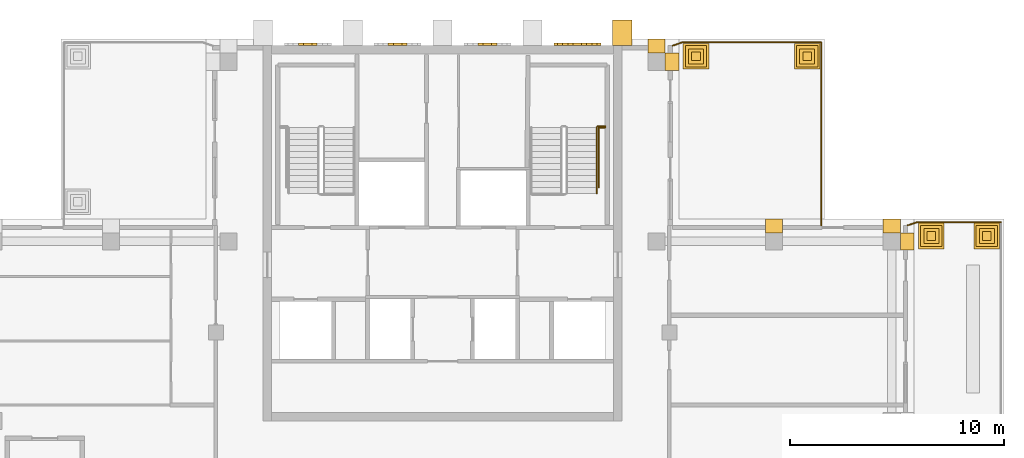
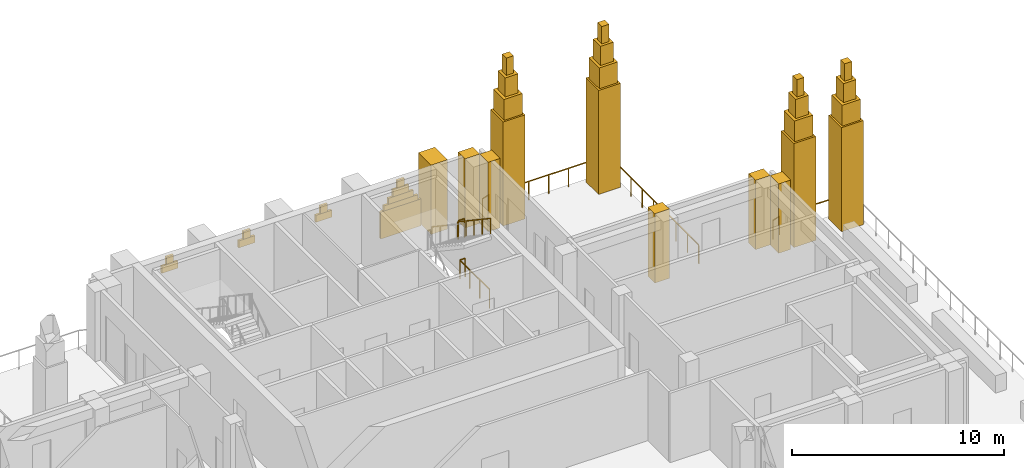
# One storey, part 10 of 10: 33 coverings, 8 railings.
"""IFC4 building model written with IfcOpenShell, lengths in metres."""

import ifcopenshell
import ifcopenshell.guid

model = None  # the IFC model being written
_history = None  # IfcOwnerHistory: only IFC2X3 demands one
_inside = {}  # id of a spatial element -> (the spatial element, [elements in it])
_under = {}  # id of a project, library or spatial element -> (it, [spatial elements below it])
_declared = {}  # id of a project -> (the project, [libraries it declares])
_typed = {}  # id of a type object -> (the type object, [elements of that type])
_made_of = {}  # id of a material, layer set ... -> (it, [elements and type objects made of it])


def new_model(schema):
    """Start an empty IFC model of exactly this schema.

    Asked for "IFC4X3", IfcOpenShell would pick the latest addendum, in which some entities
    have other attributes; the version numbers below select the first issue.
    IFC2X3 requires an IfcOwnerHistory on every rooted entity: one is made here for all.
    """
    global model, _history
    if schema == "IFC4X3":
        model = ifcopenshell.file(schema_version=(4, 3, 0, 0))
    else:
        model = ifcopenshell.file(schema=schema)
    _inside.clear()
    _under.clear()
    _declared.clear()
    _typed.clear()
    _made_of.clear()
    _history = None
    if model.schema == "IFC2X3":
        org = make("IfcOrganization", Name="unknown")
        user = make(
            "IfcPersonAndOrganization",
            ThePerson=make("IfcPerson", FamilyName="unknown"),
            TheOrganization=org,
        )
        app = make(
            "IfcApplication",
            ApplicationDeveloper=org,
            Version="unknown",
            ApplicationFullName="unknown",
            ApplicationIdentifier="unknown",
        )
        _history = make(
            "IfcOwnerHistory",
            OwningUser=user,
            OwningApplication=app,
            ChangeAction="ADDED",
            CreationDate=0,
        )
    return model


def make(cls, **values):
    """One entity of the class cls with the attributes given. An attribute that is None is left unset."""
    return model.create_entity(
        cls, **{name: value for name, value in values.items() if value is not None}
    )


def rooted(cls, **values):
    """An entity with a GlobalId (a new one), such as an element, a storey or a relation."""
    return make(cls, GlobalId=ifcopenshell.guid.new(), OwnerHistory=_history, **values)


def si_unit(unit_type, name, prefix=None):
    """IfcSIUnit, for example si_unit("LENGTHUNIT", "METRE", prefix="MILLI")."""
    return make("IfcSIUnit", UnitType=unit_type, Prefix=prefix, Name=name)


def assignment(units):
    """IfcUnitAssignment: the units of a project."""
    return None if units is None else make("IfcUnitAssignment", Units=units)


def point(xyz):
    """IfcCartesianPoint."""
    return None if xyz is None else make("IfcCartesianPoint", Coordinates=xyz)


def direction(xyz):
    """IfcDirection."""
    return None if xyz is None else make("IfcDirection", DirectionRatios=xyz)


def frame(location, z_axis=None, x_axis=None):
    """IfcAxis2Placement3D, a coordinate frame: its origin and axes. An axis left out is left unset."""
    return make(
        "IfcAxis2Placement3D",
        Location=point(location),
        Axis=direction(z_axis),
        RefDirection=direction(x_axis),
    )


def frame_2d(location, x_axis=None):
    """IfcAxis2Placement2D, a coordinate frame in the plane: its origin and x axis."""
    return make(
        "IfcAxis2Placement2D", Location=point(location), RefDirection=direction(x_axis)
    )


def origin():
    """The frame at (0, 0, 0) with its axes left unset."""
    return frame((0.0, 0.0, 0.0))


def origin_2d():
    """The frame at (0, 0) in the plane with its x axis left unset."""
    return frame_2d((0.0, 0.0))


def place(relative_to, where):
    """IfcLocalPlacement: puts the frame where relative to a parent placement (None: the world)."""
    return make(
        "IfcLocalPlacement", PlacementRelTo=relative_to, RelativePlacement=where
    )


def context(
    kind, dimensions, precision=None, world=None, true_north=None, identifier=None
):
    """IfcGeometricRepresentationContext, for example the 3D "Model" context."""
    return make(
        "IfcGeometricRepresentationContext",
        ContextIdentifier=identifier,
        ContextType=kind,
        CoordinateSpaceDimension=dimensions,
        Precision=precision,
        WorldCoordinateSystem=world,
        TrueNorth=true_north,
    )


def subcontext(parent, identifier, kind, view, scale=None):
    """IfcGeometricRepresentationSubContext, for example "Body" below "Model"."""
    return make(
        "IfcGeometricRepresentationSubContext",
        ContextIdentifier=identifier,
        ContextType=kind,
        ParentContext=parent,
        TargetScale=scale,
        TargetView=view,
    )


def project(units=None, contexts=None):
    """IfcProject with its units and contexts."""
    return rooted(
        "IfcProject",
        Name="project",
        RepresentationContexts=contexts,
        UnitsInContext=assignment(units),
    )


def spatial(cls, under=None, at=None, **own):
    """A site, building, storey or space (cls), placed at a placement, below another one or the project."""
    s = rooted(cls, ObjectPlacement=at, **own)
    if under is not None:
        _under.setdefault(under.id(), (under, []))[1].append(s)
    return s


def polyline(points):
    """IfcPolyline through the points."""
    return make("IfcPolyline", Points=[point(p) for p in points])


def profile(cls, at=None, kind="AREA", **sizes):
    """A parametric profile (cls). Its sizes go by their IFC names, for example OverallWidth=200.0."""
    return make(cls, ProfileType=kind, Position=at, **sizes)


def rectangle(**sizes):
    """IfcRectangleProfileDef."""
    return profile("IfcRectangleProfileDef", **sizes)


def outline(outer, holes=None, kind="AREA"):
    """IfcArbitraryClosedProfileDef: a profile drawn as a closed curve; with holes, ...WithVoids."""
    if holes is None:
        return make("IfcArbitraryClosedProfileDef", ProfileType=kind, OuterCurve=outer)
    return make(
        "IfcArbitraryProfileDefWithVoids",
        ProfileType=kind,
        OuterCurve=outer,
        InnerCurves=holes,
    )


def extrude(swept, where, along, depth):
    """IfcExtrudedAreaSolid: the profile swept, set in the frame where, extruded along a direction by depth."""
    return make(
        "IfcExtrudedAreaSolid",
        SweptArea=swept,
        Position=where,
        ExtrudedDirection=direction(along),
        Depth=depth,
    )


def shape(context_of_items, identifier, shape_type, items):
    """IfcShapeRepresentation: the items that make up one representation, for example the "Body"."""
    return make(
        "IfcShapeRepresentation",
        ContextOfItems=context_of_items,
        RepresentationIdentifier=identifier,
        RepresentationType=shape_type,
        Items=items,
    )


def material(Name=None, Category=None):
    """IfcMaterial."""
    return make("IfcMaterial", Name=Name, Category=Category)


def made_of(thing, what):
    """Note that an element or type object is made of a material, layer set ...; save() writes the relation."""
    if what is not None:
        _made_of.setdefault(what.id(), (what, []))[1].append(thing)
    return thing


def type_object(cls, material=None, **own):
    """A type object (cls), such as IfcWallType, which elements share."""
    return made_of(rooted(cls, **own), material)


def element(
    cls,
    number,
    at=None,
    inside=None,
    cuts=None,
    type_object=None,
    material=None,
    context=None,
    identifier="Body",
    shape_type=None,
    held_by="IfcProductDefinitionShape",
    body=None,
    shapes=None,
    **own,
):
    """One element of the class cls, such as IfcWall. Its Tag is "e" and its number.

    at: its placement. inside: the storey or other place that contains it. cuts: it is an
    opening in that element (IfcRelVoidsElement). A single representation is given by context,
    identifier, shape_type and body (its items); several are given by shapes. held_by: the class
    of the entity that holds the representations. save() writes the other relations.
    """
    e = rooted(cls, Tag="e%d" % number, ObjectPlacement=at, **own)
    if body is not None:
        shapes = [shape(context, identifier, shape_type, body)]
    if shapes is not None:
        e.Representation = make(held_by, Representations=shapes)
    if inside is not None:
        _inside.setdefault(inside.id(), (inside, []))[1].append(e)
    if cuts is not None:
        rooted(
            "IfcRelVoidsElement", RelatingBuildingElement=cuts, RelatedOpeningElement=e
        )
    if type_object is not None:
        _typed.setdefault(type_object.id(), (type_object, []))[1].append(e)
    return made_of(e, material)


def aggregate(whole, parts):
    """IfcRelAggregates: a whole, such as a stair, and the parts it consists of."""
    return rooted("IfcRelAggregates", RelatingObject=whole, RelatedObjects=parts)


def save(model, path):
    """Write the relations noted so far, then the file.

    IfcRelAggregates (storeys below a building ...), IfcRelContainedInSpatialStructure (elements
    in a storey), IfcRelDefinesByType, IfcRelAssociatesMaterial and IfcRelDeclares: one each for
    every whole, place, type object, material and project.
    """
    for whole, parts in _under.values():
        aggregate(whole, parts)
    for where, things in _inside.values():
        rooted(
            "IfcRelContainedInSpatialStructure",
            RelatedElements=things,
            RelatingStructure=where,
        )
    for kind, things in _typed.values():
        rooted("IfcRelDefinesByType", RelatedObjects=things, RelatingType=kind)
    for what, things in _made_of.values():
        rooted("IfcRelAssociatesMaterial", RelatedObjects=things, RelatingMaterial=what)
    for by, libraries in _declared.values():
        rooted("IfcRelDeclares", RelatingContext=by, RelatedDefinitions=libraries)
    model.write(path)


model = new_model("IFC4")

# Units and contexts
model_context = context("Model", 3, precision=1e-05, world=origin(), true_north=direction((0.0, 1.0)))
body_context = subcontext(model_context, "Body", "Model", "MODEL_VIEW")
ifc_project = project(units=[si_unit("LENGTHUNIT", "METRE"), si_unit("AREAUNIT", "SQUARE_METRE"), si_unit("VOLUMEUNIT", "CUBIC_METRE"), si_unit("PLANEANGLEUNIT", "RADIAN"), si_unit("MASSUNIT", "GRAM", prefix="KILO")], contexts=[model_context])

# Site, building, storey
site_placement = place(None, origin())
site = spatial("IfcSite", under=ifc_project, at=site_placement, CompositionType="ELEMENT")
building_placement = place(site_placement, origin())
building = spatial("IfcBuilding", under=site, at=building_placement, Name="Vermilion Ogive Tower", CompositionType="ELEMENT")
storey_placement = place(building_placement, frame((0.0, 0.0, 269.35009765625)))
storey = spatial("IfcBuildingStorey", under=building, at=storey_placement, Name="L71", CompositionType="ELEMENT", Elevation=269.35009765625)

# Coverings
ifc_material_1 = material(Name="Stone cladding", Category="masonry")
covering_type_1 = type_object("IfcCoveringType", Name="Core buttress pier", PredefinedType="CLADDING", material=ifc_material_1)
covering_1_placement = place(storey_placement, origin())
element("IfcCovering", 1, at=covering_1_placement, inside=storey, type_object=covering_type_1, Name="Buttress pier L71 N5", PredefinedType="CLADDING", context=body_context, shape_type="SweptSolid", body=[
    extrude(outline(polyline([(7.949951171875, 21.75), (8.85009765625, 21.75), (8.85009765625, 22.949951171875), (7.949951171875, 22.949951171875), (7.949951171875, 21.75)])), origin(), (0.0, 0.0, 1.0), 4.0),
])
ifc_material_2 = material(Name="Stone cladding", Category="masonry")
covering_type_2 = type_object("IfcCoveringType", Name="Lancet panel", PredefinedType="CLADDING", material=ifc_material_2)
covering_2_placement = place(storey_placement, frame((0.0, 0.0, 2.89990234375)))
element("IfcCovering", 2, at=covering_2_placement, inside=storey, type_object=covering_type_2, Name="Lancet panel L71N1D", PredefinedType="CLADDING", context=body_context, shape_type="SweptSolid", body=[
    extrude(outline(polyline([(-6.739990234375, 21.75), (-5.860107421875, 21.75), (-5.860107421875, 21.8701171875), (-6.739990234375, 21.8701171875), (-6.739990234375, 21.75)])), origin(), (0.0, 0.0, 1.0), 0.39990234375),
])
covering_3_placement = place(storey_placement, frame((0.0, 0.0, 3.2998046875)))
element("IfcCovering", 3, at=covering_3_placement, inside=storey, type_object=covering_type_2, Name="Lancet panel L71N1E", PredefinedType="CLADDING", context=body_context, shape_type="SweptSolid", body=[
    extrude(outline(polyline([(-6.498046875, 21.75), (-6.10205078125, 21.75), (-6.10205078125, 21.8701171875), (-6.498046875, 21.8701171875), (-6.498046875, 21.75)])), origin(), (0.0, 0.0, 1.0), 0.4501953125),
])
covering_4_placement = place(storey_placement, frame((0.0, 0.0, 2.89990234375)))
element("IfcCovering", 4, at=covering_4_placement, inside=storey, type_object=covering_type_2, Name="Lancet panel L71N2D", PredefinedType="CLADDING", context=body_context, shape_type="SweptSolid", body=[
    extrude(outline(polyline([(-2.5400390625, 21.75), (-1.659912109375, 21.75), (-1.659912109375, 21.8701171875), (-2.5400390625, 21.8701171875), (-2.5400390625, 21.75)])), origin(), (0.0, 0.0, 1.0), 0.39990234375),
])
covering_5_placement = place(storey_placement, frame((0.0, 0.0, 3.2998046875)))
element("IfcCovering", 5, at=covering_5_placement, inside=storey, type_object=covering_type_2, Name="Lancet panel L71N2E", PredefinedType="CLADDING", context=body_context, shape_type="SweptSolid", body=[
    extrude(outline(polyline([(-2.298095703125, 21.75), (-1.902099609375, 21.75), (-1.902099609375, 21.8701171875), (-2.298095703125, 21.8701171875), (-2.298095703125, 21.75)])), origin(), (0.0, 0.0, 1.0), 0.4501953125),
])
covering_6_placement = place(storey_placement, frame((0.0, 0.0, 2.89990234375)))
element("IfcCovering", 6, at=covering_6_placement, inside=storey, type_object=covering_type_2, Name="Lancet panel L71N3D", PredefinedType="CLADDING", context=body_context, shape_type="SweptSolid", body=[
    extrude(outline(polyline([(1.659912109375, 21.75), (2.5400390625, 21.75), (2.5400390625, 21.8701171875), (1.659912109375, 21.8701171875), (1.659912109375, 21.75)])), origin(), (0.0, 0.0, 1.0), 0.39990234375),
])
covering_7_placement = place(storey_placement, frame((0.0, 0.0, 3.2998046875)))
element("IfcCovering", 7, at=covering_7_placement, inside=storey, type_object=covering_type_2, Name="Lancet panel L71N3E", PredefinedType="CLADDING", context=body_context, shape_type="SweptSolid", body=[
    extrude(outline(polyline([(1.902099609375, 21.75), (2.298095703125, 21.75), (2.298095703125, 21.8701171875), (1.902099609375, 21.8701171875), (1.902099609375, 21.75)])), origin(), (0.0, 0.0, 1.0), 0.4501953125),
])
covering_8_placement = place(storey_placement, frame((0.0, 0.0, 0.699951171875)))
element("IfcCovering", 8, at=covering_8_placement, inside=storey, type_object=covering_type_2, Name="Lancet panel L71N4A", PredefinedType="CLADDING", context=body_context, shape_type="SweptSolid", body=[
    extrude(outline(polyline([(5.199951171875, 21.75), (7.39990234375, 21.75), (7.39990234375, 21.8701171875), (5.199951171875, 21.8701171875), (5.199951171875, 21.75)])), origin(), (0.0, 0.0, 1.0), 1.550048828125),
])
covering_9_placement = place(storey_placement, frame((0.0, 0.0, 2.25)))
element("IfcCovering", 9, at=covering_9_placement, inside=storey, type_object=covering_type_2, Name="Lancet panel L71N4B", PredefinedType="CLADDING", context=body_context, shape_type="SweptSolid", body=[
    extrude(outline(polyline([(5.3759765625, 21.75), (7.22412109375, 21.75), (7.22412109375, 21.8701171875), (5.3759765625, 21.8701171875), (5.3759765625, 21.75)])), origin(), (0.0, 0.0, 1.0), 0.2998046875),
])
covering_10_placement = place(storey_placement, frame((0.0, 0.0, 2.5498046875)))
element("IfcCovering", 10, at=covering_10_placement, inside=storey, type_object=covering_type_2, Name="Lancet panel L71N4C", PredefinedType="CLADDING", context=body_context, shape_type="SweptSolid", body=[
    extrude(outline(polyline([(5.617919921875, 21.75), (6.98193359375, 21.75), (6.98193359375, 21.8701171875), (5.617919921875, 21.8701171875), (5.617919921875, 21.75)])), origin(), (0.0, 0.0, 1.0), 0.35009765625),
])
covering_11_placement = place(storey_placement, frame((0.0, 0.0, 2.89990234375)))
element("IfcCovering", 11, at=covering_11_placement, inside=storey, type_object=covering_type_2, Name="Lancet panel L71N4D", PredefinedType="CLADDING", context=body_context, shape_type="SweptSolid", body=[
    extrude(outline(polyline([(5.860107421875, 21.75), (6.739990234375, 21.75), (6.739990234375, 21.8701171875), (5.860107421875, 21.8701171875), (5.860107421875, 21.75)])), origin(), (0.0, 0.0, 1.0), 0.39990234375),
])
covering_12_placement = place(storey_placement, frame((0.0, 0.0, 3.2998046875)))
element("IfcCovering", 12, at=covering_12_placement, inside=storey, type_object=covering_type_2, Name="Lancet panel L71N4E", PredefinedType="CLADDING", context=body_context, shape_type="SweptSolid", body=[
    extrude(outline(polyline([(6.10205078125, 21.75), (6.498046875, 21.75), (6.498046875, 21.8701171875), (6.10205078125, 21.8701171875), (6.10205078125, 21.75)])), origin(), (0.0, 0.0, 1.0), 0.4501953125),
])

# Railings
ifc_material_3 = material(Name="Steel S355 painted", Category="steel")
railing_type_1 = type_object("IfcRailingType", Name="Stair guard 1100", PredefinedType="GUARDRAIL", material=ifc_material_3)
railing_1_placement = place(storey_placement, frame((7.25, 17.97998046875, 2.25)))
element("IfcRailing", 13, at=railing_1_placement, inside=storey, type_object=railing_type_1, Name="L71 landing guard", PredefinedType="GUARDRAIL", context=body_context, shape_type="SweptSolid", body=[
    extrude(rectangle(XDim=0.048095703125, YDim=0.048095703125, at=origin_2d()), frame((0.0, 0.0, 1.076171875), z_axis=(1.0, 0.0, 0.0), x_axis=(0.0, 1.0, 0.0)), (0.0, 0.0, 1.0), 0.35009765625),
    extrude(rectangle(XDim=0.0419921875, YDim=0.0419921875, at=origin_2d()), origin(), (0.0, 0.0, 1.0), 1.052001953125),
    extrude(rectangle(XDim=0.0419921875, YDim=0.0419921875, at=origin_2d()), frame((0.35009765625, 0.0, 0.0)), (0.0, 0.0, 1.0), 1.052001953125),
])
railing_2_placement = place(storey_placement, frame((7.599609375, 17.923828125, 0.0)))
element("IfcRailing", 14, at=railing_2_placement, inside=storey, type_object=railing_type_1, Name="L71 stair opening guard", PredefinedType="GUARDRAIL", context=body_context, shape_type="SweptSolid", body=[
    extrude(rectangle(XDim=0.048095703125, YDim=0.048095703125, at=origin_2d()), frame((0.0, 0.0, 1.076171875), z_axis=(-1.0, 0.0, 0.0), x_axis=(0.0, -1.0, 0.0)), (0.0, 0.0, 1.0), 0.289794921875),
    extrude(rectangle(XDim=0.048095703125, YDim=0.048095703125, at=origin_2d()), frame((-0.289794921875, 0.0, 1.076171875), z_axis=(0.0, -1.0, 0.0), x_axis=(1.0, 0.0, 0.0)), (0.0, 0.0, 1.0), 2.804443359375),
    extrude(rectangle(XDim=0.0419921875, YDim=0.0419921875, at=origin_2d()), origin(), (0.0, 0.0, 1.0), 1.052001953125),
    extrude(rectangle(XDim=0.0419921875, YDim=0.0419921875, at=origin_2d()), frame((-0.289794921875, 0.0, 0.0)), (0.0, 0.0, 1.0), 1.052001953125),
    extrude(rectangle(XDim=0.0419921875, YDim=0.0419921875, at=origin_2d()), frame((-0.289794921875, -0.934814453125, 0.0)), (0.0, 0.0, 1.0), 1.052001953125),
    extrude(rectangle(XDim=0.0419921875, YDim=0.0419921875, at=origin_2d()), frame((-0.289794921875, -1.86962890625, 0.0)), (0.0, 0.0, 1.0), 1.052001953125),
    extrude(rectangle(XDim=0.0419921875, YDim=0.0419921875, at=origin_2d()), frame((-0.289794921875, -2.804443359375, 0.0)), (0.0, 0.0, 1.0), 1.052001953125),
])
ifc_material_4 = material(Name="Stainless steel", Category="steel")
railing_type_2 = type_object("IfcRailingType", Name="Stair handrail 900", PredefinedType="HANDRAIL", material=ifc_material_4)
railing_3_placement = place(storey_placement, frame((7.199951171875, 17.929931640625, 2.4375)))
element("IfcRailing", 15, at=railing_3_placement, inside=storey, type_object=railing_type_2, Name="L71 ST2 stair handrail 2", PredefinedType="HANDRAIL", context=body_context, shape_type="SweptSolid", body=[
    extrude(rectangle(XDim=0.048095703125, YDim=0.048095703125, at=origin_2d()), frame((0.0, 0.0, 0.8759765625), z_axis=(0.0, -0.830893310487, 0.556431762742), x_axis=(1.0, 0.0, 0.0)), (0.0, 0.0, 1.0), 3.70654296875),
    extrude(rectangle(XDim=0.0419921875, YDim=0.0419921875, at=origin_2d()), origin(), (0.0, 0.0, 1.0), 0.851806640625),
    extrude(rectangle(XDim=0.0419921875, YDim=0.0419921875, at=origin_2d()), frame((0.0, -0.77001953125, 0.515625)), (0.0, 0.0, 1.0), 0.851806640625),
    extrude(rectangle(XDim=0.0419921875, YDim=0.0419921875, at=origin_2d()), frame((0.0, -1.5400390625, 1.03125)), (0.0, 0.0, 1.0), 0.851806640625),
    extrude(rectangle(XDim=0.0419921875, YDim=0.0419921875, at=origin_2d()), frame((0.0, -2.309814453125, 1.546875)), (0.0, 0.0, 1.0), 0.851806640625),
    extrude(rectangle(XDim=0.0419921875, YDim=0.0419921875, at=origin_2d()), frame((0.0, -3.079833984375, 2.0625)), (0.0, 0.0, 1.0), 0.851806640625),
])

# Coverings
ifc_material_5 = material(Name="Stone cladding", Category="masonry")
covering_type_3 = type_object("IfcCoveringType", Name="Stone pier", PredefinedType="CLADDING", material=ifc_material_5)
covering_13_placement = place(storey_placement, origin())
element("IfcCovering", 16, at=covering_13_placement, inside=storey, type_object=covering_type_3, Name="Stone pier P+0100+210X4", PredefinedType="CLADDING", context=body_context, shape_type="SweptSolid", body=[
    extrude(outline(polyline([(11.050048828125, 21.39990234375), (11.050048828125, 20.60009765625), (10.39990234375, 20.60009765625), (10.39990234375, 21.39990234375), (11.050048828125, 21.39990234375)])), origin(), (0.0, 0.0, 1.0), 4.0),
])
covering_14_placement = place(storey_placement, origin())
element("IfcCovering", 17, at=covering_14_placement, inside=storey, type_object=covering_type_3, Name="Stone pier P+0100+210N1", PredefinedType="CLADDING", context=body_context, shape_type="SweptSolid", body=[
    extrude(outline(polyline([(10.39990234375, 22.050048828125), (10.39990234375, 21.39990234375), (9.60009765625, 21.39990234375), (9.60009765625, 22.050048828125), (10.39990234375, 22.050048828125)])), origin(), (0.0, 0.0, 1.0), 4.0),
])
covering_15_placement = place(storey_placement, origin())
element("IfcCovering", 18, at=covering_15_placement, inside=storey, type_object=covering_type_3, Name="Stone pier P+0155+126", PredefinedType="CLADDING", context=body_context, shape_type="SweptSolid", body=[
    extrude(outline(polyline([(15.10009765625, 13.64990234375), (15.89990234375, 13.64990234375), (15.89990234375, 13.0), (15.10009765625, 13.0), (15.10009765625, 13.64990234375)])), origin(), (0.0, 0.0, 1.0), 4.0),
])
covering_16_placement = place(storey_placement, origin())
element("IfcCovering", 19, at=covering_16_placement, inside=storey, type_object=covering_type_3, Name="Stone pier P+0210+126E", PredefinedType="CLADDING", context=body_context, shape_type="SweptSolid", body=[
    extrude(outline(polyline([(22.050048828125, 13.0), (22.050048828125, 12.199951171875), (21.39990234375, 12.199951171875), (21.39990234375, 13.0), (22.050048828125, 13.0)])), origin(), (0.0, 0.0, 1.0), 4.0),
])
covering_17_placement = place(storey_placement, origin())
element("IfcCovering", 20, at=covering_17_placement, inside=storey, type_object=covering_type_3, Name="Stone pier P+0210+126X3", PredefinedType="CLADDING", context=body_context, shape_type="SweptSolid", body=[
    extrude(outline(polyline([(21.39990234375, 13.64990234375), (21.39990234375, 13.0), (20.60009765625, 13.0), (20.60009765625, 13.64990234375), (21.39990234375, 13.64990234375)])), origin(), (0.0, 0.0, 1.0), 4.0),
])
ifc_material_6 = material(Name="Stone cladding", Category="masonry")
covering_type_4 = type_object("IfcCoveringType", Name="Stone pinnacle", PredefinedType="CLADDING", material=ifc_material_6)
covering_18_placement = place(storey_placement, origin())
element("IfcCovering", 21, at=covering_18_placement, inside=storey, type_object=covering_type_4, Name="Stone pinnacle L7111111A", PredefinedType="CLADDING", context=body_context, shape_type="SweptSolid", body=[
    extrude(outline(polyline([(22.25, 12.25), (23.449951171875, 12.25), (23.449951171875, 13.449951171875), (22.25, 13.449951171875), (22.25, 12.25)])), origin(), (0.0, 0.0, 1.0), 6.0),
])
covering_19_placement = place(storey_placement, frame((0.0, 0.0, 6.0)))
element("IfcCovering", 22, at=covering_19_placement, inside=storey, type_object=covering_type_4, Name="Stone pinnacle L7111111B", PredefinedType="CLADDING", context=body_context, shape_type="SweptSolid", body=[
    extrude(outline(polyline([(22.35009765625, 12.35009765625), (23.35009765625, 12.35009765625), (23.35009765625, 13.35009765625), (22.35009765625, 13.35009765625), (22.35009765625, 12.35009765625)])), origin(), (0.0, 0.0, 1.0), 1.199951171875),
])
covering_20_placement = place(storey_placement, frame((0.0, 0.0, 7.199951171875)))
element("IfcCovering", 23, at=covering_20_placement, inside=storey, type_object=covering_type_4, Name="Stone pinnacle L7111111C", PredefinedType="CLADDING", context=body_context, shape_type="SweptSolid", body=[
    extrude(outline(polyline([(22.5, 12.5), (23.199951171875, 12.5), (23.199951171875, 13.199951171875), (22.5, 13.199951171875), (22.5, 12.5)])), origin(), (0.0, 0.0, 1.0), 1.099853515625),
])
covering_21_placement = place(storey_placement, frame((0.0, 0.0, 8.2998046875)))
element("IfcCovering", 24, at=covering_21_placement, inside=storey, type_object=covering_type_4, Name="Stone pinnacle L7111111D", PredefinedType="CLADDING", context=body_context, shape_type="SweptSolid", body=[
    extrude(outline(polyline([(22.64990234375, 12.64990234375), (23.050048828125, 12.64990234375), (23.050048828125, 13.050048828125), (22.64990234375, 13.050048828125), (22.64990234375, 12.64990234375)])), origin(), (0.0, 0.0, 1.0), 1.0),
])
covering_22_placement = place(storey_placement, origin())
element("IfcCovering", 25, at=covering_22_placement, inside=storey, type_object=covering_type_4, Name="Stone pinnacle L7111121A", PredefinedType="CLADDING", context=body_context, shape_type="SweptSolid", body=[
    extrude(outline(polyline([(24.85009765625, 12.25), (26.050048828125, 12.25), (26.050048828125, 13.449951171875), (24.85009765625, 13.449951171875), (24.85009765625, 12.25)])), origin(), (0.0, 0.0, 1.0), 6.0),
])
covering_23_placement = place(storey_placement, frame((0.0, 0.0, 6.0)))
element("IfcCovering", 26, at=covering_23_placement, inside=storey, type_object=covering_type_4, Name="Stone pinnacle L7111121B", PredefinedType="CLADDING", context=body_context, shape_type="SweptSolid", body=[
    extrude(outline(polyline([(24.949951171875, 12.35009765625), (25.949951171875, 12.35009765625), (25.949951171875, 13.35009765625), (24.949951171875, 13.35009765625), (24.949951171875, 12.35009765625)])), origin(), (0.0, 0.0, 1.0), 1.199951171875),
])
covering_24_placement = place(storey_placement, frame((0.0, 0.0, 7.199951171875)))
element("IfcCovering", 27, at=covering_24_placement, inside=storey, type_object=covering_type_4, Name="Stone pinnacle L7111121C", PredefinedType="CLADDING", context=body_context, shape_type="SweptSolid", body=[
    extrude(outline(polyline([(25.10009765625, 12.5), (25.800048828125, 12.5), (25.800048828125, 13.199951171875), (25.10009765625, 13.199951171875), (25.10009765625, 12.5)])), origin(), (0.0, 0.0, 1.0), 1.099853515625),
])
covering_25_placement = place(storey_placement, frame((0.0, 0.0, 8.2998046875)))
element("IfcCovering", 28, at=covering_25_placement, inside=storey, type_object=covering_type_4, Name="Stone pinnacle L7111121D", PredefinedType="CLADDING", context=body_context, shape_type="SweptSolid", body=[
    extrude(outline(polyline([(25.25, 12.64990234375), (25.64990234375, 12.64990234375), (25.64990234375, 13.050048828125), (25.25, 13.050048828125), (25.25, 12.64990234375)])), origin(), (0.0, 0.0, 1.0), 1.0),
])
covering_26_placement = place(storey_placement, origin())
element("IfcCovering", 29, at=covering_26_placement, inside=storey, type_object=covering_type_4, Name="Stone pinnacle L713111A", PredefinedType="CLADDING", context=body_context, shape_type="SweptSolid", body=[
    extrude(outline(polyline([(16.449951171875, 20.64990234375), (17.64990234375, 20.64990234375), (17.64990234375, 21.85009765625), (16.449951171875, 21.85009765625), (16.449951171875, 20.64990234375)])), origin(), (0.0, 0.0, 1.0), 6.0),
])
covering_27_placement = place(storey_placement, frame((0.0, 0.0, 6.0)))
element("IfcCovering", 30, at=covering_27_placement, inside=storey, type_object=covering_type_4, Name="Stone pinnacle L713111B", PredefinedType="CLADDING", context=body_context, shape_type="SweptSolid", body=[
    extrude(outline(polyline([(16.550048828125, 20.75), (17.550048828125, 20.75), (17.550048828125, 21.75), (16.550048828125, 21.75), (16.550048828125, 20.75)])), origin(), (0.0, 0.0, 1.0), 1.199951171875),
])
covering_28_placement = place(storey_placement, frame((0.0, 0.0, 7.199951171875)))
element("IfcCovering", 31, at=covering_28_placement, inside=storey, type_object=covering_type_4, Name="Stone pinnacle L713111C", PredefinedType="CLADDING", context=body_context, shape_type="SweptSolid", body=[
    extrude(outline(polyline([(16.699951171875, 20.89990234375), (17.39990234375, 20.89990234375), (17.39990234375, 21.60009765625), (16.699951171875, 21.60009765625), (16.699951171875, 20.89990234375)])), origin(), (0.0, 0.0, 1.0), 1.099853515625),
])
covering_29_placement = place(storey_placement, frame((0.0, 0.0, 8.2998046875)))
element("IfcCovering", 32, at=covering_29_placement, inside=storey, type_object=covering_type_4, Name="Stone pinnacle L713111D", PredefinedType="CLADDING", context=body_context, shape_type="SweptSolid", body=[
    extrude(outline(polyline([(16.85009765625, 21.050048828125), (17.25, 21.050048828125), (17.25, 21.449951171875), (16.85009765625, 21.449951171875), (16.85009765625, 21.050048828125)])), origin(), (0.0, 0.0, 1.0), 1.0),
])
covering_30_placement = place(storey_placement, origin())
element("IfcCovering", 33, at=covering_30_placement, inside=storey, type_object=covering_type_4, Name="Stone pinnacle L713141A", PredefinedType="CLADDING", context=body_context, shape_type="SweptSolid", body=[
    extrude(outline(polyline([(11.25, 20.64990234375), (12.449951171875, 20.64990234375), (12.449951171875, 21.85009765625), (11.25, 21.85009765625), (11.25, 20.64990234375)])), origin(), (0.0, 0.0, 1.0), 6.0),
])
covering_31_placement = place(storey_placement, frame((0.0, 0.0, 6.0)))
element("IfcCovering", 34, at=covering_31_placement, inside=storey, type_object=covering_type_4, Name="Stone pinnacle L713141B", PredefinedType="CLADDING", context=body_context, shape_type="SweptSolid", body=[
    extrude(outline(polyline([(11.35009765625, 20.75), (12.35009765625, 20.75), (12.35009765625, 21.75), (11.35009765625, 21.75), (11.35009765625, 20.75)])), origin(), (0.0, 0.0, 1.0), 1.199951171875),
])
covering_32_placement = place(storey_placement, frame((0.0, 0.0, 7.199951171875)))
element("IfcCovering", 35, at=covering_32_placement, inside=storey, type_object=covering_type_4, Name="Stone pinnacle L713141C", PredefinedType="CLADDING", context=body_context, shape_type="SweptSolid", body=[
    extrude(outline(polyline([(11.5, 20.89990234375), (12.199951171875, 20.89990234375), (12.199951171875, 21.60009765625), (11.5, 21.60009765625), (11.5, 20.89990234375)])), origin(), (0.0, 0.0, 1.0), 1.099853515625),
])
covering_33_placement = place(storey_placement, frame((0.0, 0.0, 8.2998046875)))
element("IfcCovering", 36, at=covering_33_placement, inside=storey, type_object=covering_type_4, Name="Stone pinnacle L713141D", PredefinedType="CLADDING", context=body_context, shape_type="SweptSolid", body=[
    extrude(outline(polyline([(11.64990234375, 21.050048828125), (12.050048828125, 21.050048828125), (12.050048828125, 21.449951171875), (11.64990234375, 21.449951171875), (11.64990234375, 21.050048828125)])), origin(), (0.0, 0.0, 1.0), 1.0),
])

# Railings
ifc_material_7 = material(Name="Stainless steel and glass", Category="steel")
railing_type_3 = type_object("IfcRailingType", Name="Terrace guard", PredefinedType="GUARDRAIL", material=ifc_material_7)
railing_4_placement = place(storey_placement, frame((21.75, 13.35009765625, 0.0)))
element("IfcRailing", 37, at=railing_4_placement, inside=storey, type_object=railing_type_3, Name="Terrace guard 1.1", PredefinedType="GUARDRAIL", context=body_context, shape_type="SweptSolid", body=[
    extrude(rectangle(XDim=0.048095703125, YDim=0.048095703125, at=origin_2d()), frame((0.0, 0.0, 1.076171875), z_axis=(0.948734763221, 0.316073328604, 0.0), x_axis=(-0.316073328604, 0.948734763221, 0.0)), (0.0, 0.0, 1.0), 0.474365234375),
    extrude(rectangle(XDim=0.0419921875, YDim=0.0419921875, at=origin_2d()), origin(), (0.0, 0.0, 1.0), 1.052001953125),
    extrude(rectangle(XDim=0.0419921875, YDim=0.0419921875, at=origin_2d()), frame((0.449951171875, 0.14990234375, 0.0)), (0.0, 0.0, 1.0), 1.052001953125),
])
railing_5_placement = place(storey_placement, frame((22.199951171875, 13.5, 0.0)))
element("IfcRailing", 38, at=railing_5_placement, inside=storey, type_object=railing_type_3, Name="Terrace guard 1.1.2", PredefinedType="GUARDRAIL", context=body_context, shape_type="SweptSolid", body=[
    extrude(rectangle(XDim=0.048095703125, YDim=0.048095703125, at=origin_2d()), frame((0.0, 0.0, 1.076171875), z_axis=(1.0, 0.0, 0.0), x_axis=(0.0, 1.0, 0.0)), (0.0, 0.0, 1.0), 3.900146484375),
    extrude(rectangle(XDim=0.0419921875, YDim=0.0419921875, at=origin_2d()), origin(), (0.0, 0.0, 1.0), 1.052001953125),
    extrude(rectangle(XDim=0.0419921875, YDim=0.0419921875, at=origin_2d()), frame((0.97509765625, 0.0, 0.0)), (0.0, 0.0, 1.0), 1.052001953125),
    extrude(rectangle(XDim=0.0419921875, YDim=0.0419921875, at=origin_2d()), frame((1.9501953125, 0.0, 0.0)), (0.0, 0.0, 1.0), 1.052001953125),
    extrude(rectangle(XDim=0.0419921875, YDim=0.0419921875, at=origin_2d()), frame((2.925048828125, 0.0, 0.0)), (0.0, 0.0, 1.0), 1.052001953125),
    extrude(rectangle(XDim=0.0419921875, YDim=0.0419921875, at=origin_2d()), frame((3.900146484375, 0.0, 0.0)), (0.0, 0.0, 1.0), 1.052001953125),
])
railing_6_placement = place(storey_placement, frame((10.75, 21.75, 0.0)))
element("IfcRailing", 39, at=railing_6_placement, inside=storey, type_object=railing_type_3, Name="Terrace guard 3.1", PredefinedType="GUARDRAIL", context=body_context, shape_type="SweptSolid", body=[
    extrude(rectangle(XDim=0.048095703125, YDim=0.048095703125, at=origin_2d()), frame((0.0, 0.0, 1.076171875), z_axis=(0.948734763221, 0.316073328604, 0.0), x_axis=(-0.316073328604, 0.948734763221, 0.0)), (0.0, 0.0, 1.0), 0.474365234375),
    extrude(rectangle(XDim=0.0419921875, YDim=0.0419921875, at=origin_2d()), origin(), (0.0, 0.0, 1.0), 1.052001953125),
    extrude(rectangle(XDim=0.0419921875, YDim=0.0419921875, at=origin_2d()), frame((0.449951171875, 0.14990234375, 0.0)), (0.0, 0.0, 1.0), 1.052001953125),
])
railing_7_placement = place(storey_placement, frame((11.199951171875, 21.89990234375, 0.0)))
element("IfcRailing", 40, at=railing_7_placement, inside=storey, type_object=railing_type_3, Name="Terrace guard 3.1.2", PredefinedType="GUARDRAIL", context=body_context, shape_type="SweptSolid", body=[
    extrude(rectangle(XDim=0.048095703125, YDim=0.048095703125, at=origin_2d()), frame((0.0, 0.0, 1.076171875), z_axis=(1.0, 0.0, 0.0), x_axis=(0.0, 1.0, 0.0)), (0.0, 0.0, 1.0), 6.5),
    extrude(rectangle(XDim=0.0419921875, YDim=0.0419921875, at=origin_2d()), origin(), (0.0, 0.0, 1.0), 1.052001953125),
    extrude(rectangle(XDim=0.0419921875, YDim=0.0419921875, at=origin_2d()), frame((1.083251953125, 0.0, 0.0)), (0.0, 0.0, 1.0), 1.052001953125),
    extrude(rectangle(XDim=0.0419921875, YDim=0.0419921875, at=origin_2d()), frame((2.166748046875, 0.0, 0.0)), (0.0, 0.0, 1.0), 1.052001953125),
    extrude(rectangle(XDim=0.0419921875, YDim=0.0419921875, at=origin_2d()), frame((3.25, 0.0, 0.0)), (0.0, 0.0, 1.0), 1.052001953125),
    extrude(rectangle(XDim=0.0419921875, YDim=0.0419921875, at=origin_2d()), frame((4.333251953125, 0.0, 0.0)), (0.0, 0.0, 1.0), 1.052001953125),
    extrude(rectangle(XDim=0.0419921875, YDim=0.0419921875, at=origin_2d()), frame((5.416748046875, 0.0, 0.0)), (0.0, 0.0, 1.0), 1.052001953125),
    extrude(rectangle(XDim=0.0419921875, YDim=0.0419921875, at=origin_2d()), frame((6.5, 0.0, 0.0)), (0.0, 0.0, 1.0), 1.052001953125),
])
railing_8_placement = place(storey_placement, frame((17.699951171875, 21.89990234375, 0.0)))
element("IfcRailing", 41, at=railing_8_placement, inside=storey, type_object=railing_type_3, Name="Terrace guard 3.1.3", PredefinedType="GUARDRAIL", context=body_context, shape_type="SweptSolid", body=[
    extrude(rectangle(XDim=0.048095703125, YDim=0.048095703125, at=origin_2d()), frame((0.0, 0.0, 1.076171875), z_axis=(0.0, -1.0, 0.0), x_axis=(1.0, 0.0, 0.0)), (0.0, 0.0, 1.0), 8.5498046875),
    extrude(rectangle(XDim=0.0419921875, YDim=0.0419921875, at=origin_2d()), origin(), (0.0, 0.0, 1.0), 1.052001953125),
    extrude(rectangle(XDim=0.0419921875, YDim=0.0419921875, at=origin_2d()), frame((0.0, -1.06884765625, 0.0)), (0.0, 0.0, 1.0), 1.052001953125),
    extrude(rectangle(XDim=0.0419921875, YDim=0.0419921875, at=origin_2d()), frame((0.0, -2.137451171875, 0.0)), (0.0, 0.0, 1.0), 1.052001953125),
    extrude(rectangle(XDim=0.0419921875, YDim=0.0419921875, at=origin_2d()), frame((0.0, -3.2060546875, 0.0)), (0.0, 0.0, 1.0), 1.052001953125),
    extrude(rectangle(XDim=0.0419921875, YDim=0.0419921875, at=origin_2d()), frame((0.0, -4.27490234375, 0.0)), (0.0, 0.0, 1.0), 1.052001953125),
    extrude(rectangle(XDim=0.0419921875, YDim=0.0419921875, at=origin_2d()), frame((0.0, -5.34375, 0.0)), (0.0, 0.0, 1.0), 1.052001953125),
    extrude(rectangle(XDim=0.0419921875, YDim=0.0419921875, at=origin_2d()), frame((0.0, -6.412353515625, 0.0)), (0.0, 0.0, 1.0), 1.052001953125),
    extrude(rectangle(XDim=0.0419921875, YDim=0.0419921875, at=origin_2d()), frame((0.0, -7.48095703125, 0.0)), (0.0, 0.0, 1.0), 1.052001953125),
    extrude(rectangle(XDim=0.0419921875, YDim=0.0419921875, at=origin_2d()), frame((0.0, -8.5498046875, 0.0)), (0.0, 0.0, 1.0), 1.052001953125),
])

save(model, "model.ifc")
